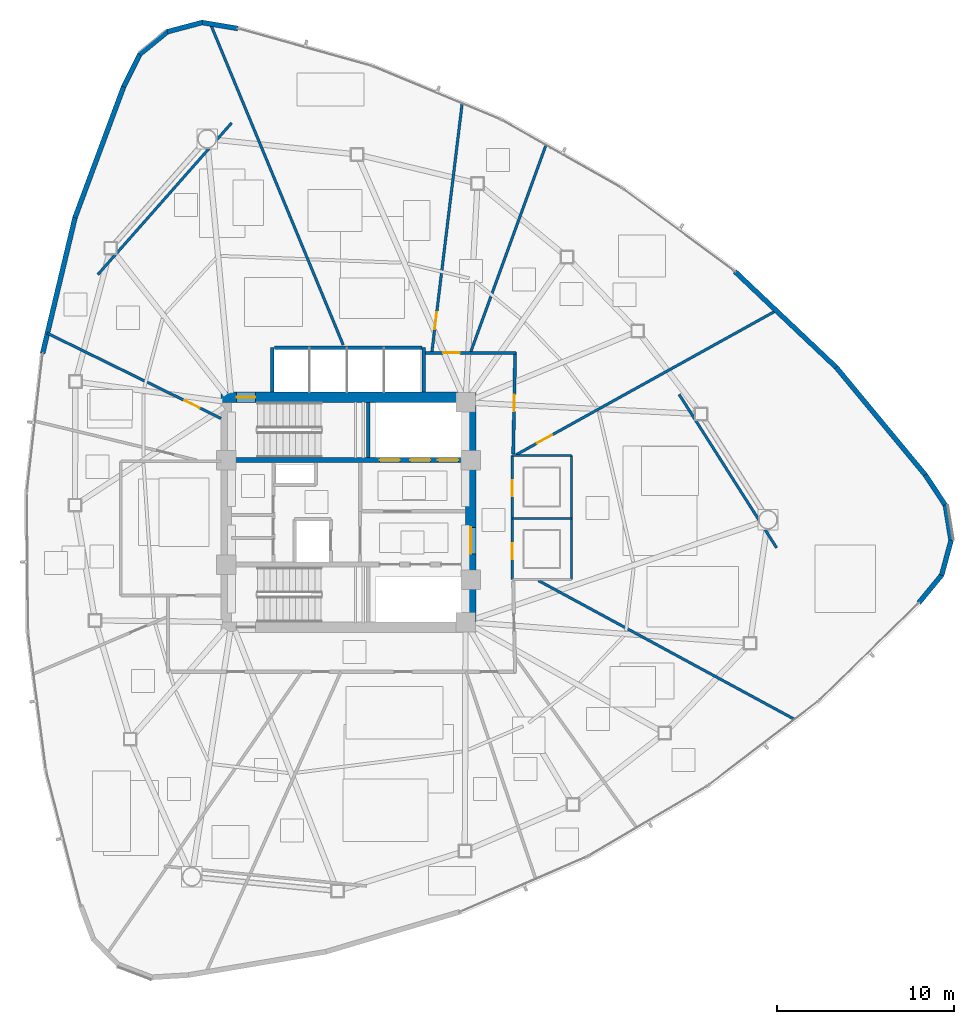
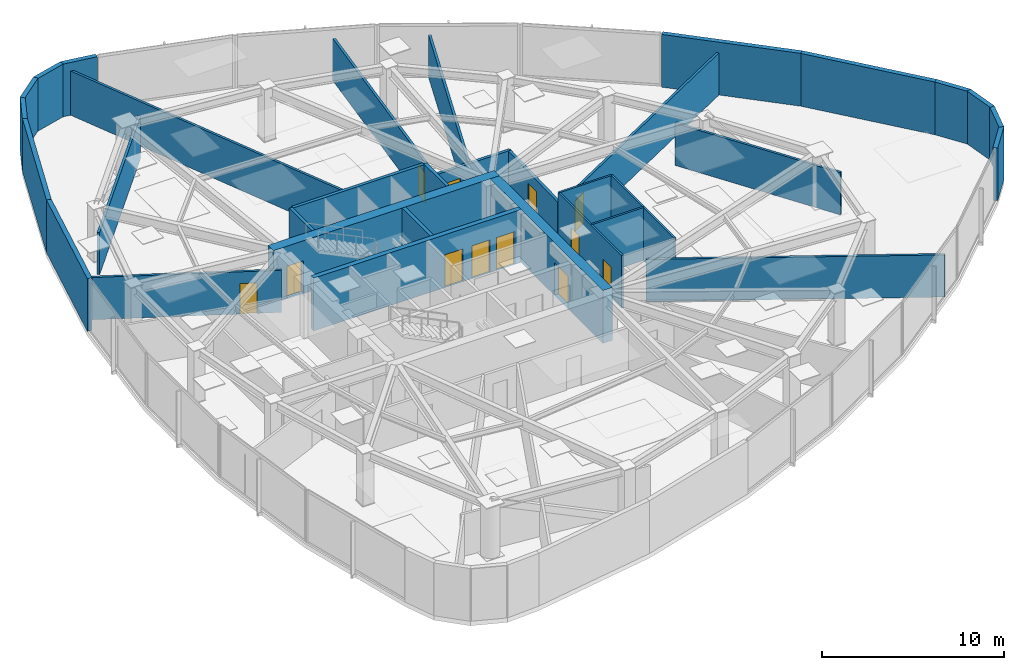
# One storey, part 13 of 18: 33 walls, 12 doors, 12 openings.
"""IFC4 building model written with IfcOpenShell, lengths in metres."""

from ifc_helpers import new_model, si_unit, direction, frame, frame_2d, origin, place, context, subcontext, project, spatial, rectangle, extrude, material, layer, layer_set, type_object, element, fill, save


model = new_model("IFC4")

# Units and contexts
model_context = context("Model", 3, precision=1e-05, world=origin(), true_north=direction((0.0, 1.0)))
body_context = subcontext(model_context, "Body", "Model", "MODEL_VIEW")
ifc_project = project(units=[si_unit("LENGTHUNIT", "METRE"), si_unit("AREAUNIT", "SQUARE_METRE"), si_unit("VOLUMEUNIT", "CUBIC_METRE"), si_unit("PLANEANGLEUNIT", "RADIAN"), si_unit("MASSUNIT", "GRAM", prefix="KILO")], contexts=[model_context])

# Site, building, storey
site_placement = place(None, origin())
site = spatial("IfcSite", under=ifc_project, at=site_placement, CompositionType="ELEMENT")
building_placement = place(site_placement, origin())
building = spatial("IfcBuilding", under=site, at=building_placement, Name="Tavelor Broadcast Tower", CompositionType="ELEMENT")
storey_placement = place(building_placement, frame((0.0, 0.0, 146.39990234375)))
storey = spatial("IfcBuildingStorey", under=building, at=storey_placement, Name="L34", CompositionType="ELEMENT", Elevation=146.39990234375)

# Wall, opening, door
ifc_material_1 = material(Name="Concrete C60/75", Category="concrete")
ifc_layer_1 = layer(ifc_material_1, 0.60009765625)
ifc_layer_set_1 = layer_set([ifc_layer_1], Name="Concrete C60/75")
wall_type_1 = type_object("IfcWallType", Name="Core Shear Wall 600 mm", PredefinedType="SHEAR", material=ifc_layer_set_1)
wall_1_placement = place(storey_placement, frame((42.800048828125, 51.5, 0.0), z_axis=(0.0, 0.0, 1.0), x_axis=(1.0, 0.0, 0.0)))
wall_1 = element("IfcWall", 1, at=wall_1_placement, inside=storey, type_object=wall_type_1, Name="L34 Central Core Shear Wall N", PredefinedType="SHEAR", context=body_context, shape_type="SweptSolid", body=[
    extrude(rectangle(XDim=14.39990234375, YDim=0.60009765625, at=frame_2d((7.199951171875, 0.0))), origin(), (0.0, 0.0, 1.0), 3.550048828125),
])
opening_1_placement = place(wall_1_placement, frame((0.8798828125, 0.0, 0.0)))
opening_1 = element("IfcOpeningElement", 2, at=opening_1_placement, cuts=wall_1, Name="Opening DR11", PredefinedType="OPENING", context=body_context, shape_type="SweptSolid", body=[
    extrude(rectangle(XDim=1.050048828125, YDim=2.199951171875, at=frame_2d((0.52490234375, 1.10009765625))), frame((0.0, 0.31005859375, 0.0), z_axis=(0.0, -1.0, 0.0), x_axis=(1.0, 0.0, 0.0)), (0.0, 0.0, 1.0), 0.6201171875),
])
ifc_material_2 = material(Name="Steel S355", Category="steel")
door_type_1 = type_object("IfcDoorType", Name="Stair Core Fire Escape Door 1050x2200", OperationType="NOTDEFINED", PredefinedType="DOOR", material=ifc_material_2)
door_1_placement = place(opening_1_placement, origin())
door_1 = element("IfcDoor", 3, at=door_1_placement, inside=storey, type_object=door_type_1, Name="L34 Stair ST1 Protected Exit Door", OperationType="SINGLE_SWING_LEFT", OverallHeight=2.199951171875, OverallWidth=1.050048828125, PredefinedType="DOOR", context=body_context, shape_type="SweptSolid", body=[
    extrude(rectangle(XDim=1.050048828125, YDim=2.199951171875, at=frame_2d((0.52490234375, 1.10009765625))), frame((0.0, 0.02490234375, 0.0), z_axis=(0.0, -1.0, 0.0), x_axis=(1.0, 0.0, 0.0)), (0.0, 0.0, 1.0), 0.050048828125),
])
fill(opening_1, door_1)

wall_2_placement = place(storey_placement, frame((56.89990234375, 38.800048828125, 0.0), z_axis=(0.0, 0.0, 1.0), x_axis=(0.0, 1.0, 0.0)))
wall_2 = element("IfcWall", 4, at=wall_2_placement, inside=storey, type_object=wall_type_1, Name="L34 Central Core Shear Wall E", PredefinedType="SHEAR", context=body_context, shape_type="SweptSolid", body=[
    extrude(rectangle(XDim=12.39990234375, YDim=0.60009765625, at=frame_2d((6.199951171875, 0.0))), origin(), (0.0, 0.0, 1.0), 3.550048828125),
])
opening_2_placement = place(wall_2_placement, frame((3.85009765625, 0.0, 0.0)))
opening_2 = element("IfcOpeningElement", 5, at=opening_2_placement, cuts=wall_2, Name="Opening DR14", PredefinedType="OPENING", context=body_context, shape_type="SweptSolid", body=[
    extrude(rectangle(XDim=1.5, YDim=2.199951171875, at=frame_2d((0.75, 1.10009765625))), frame((0.0, 0.31005859375, 0.0), z_axis=(0.0, -1.0, 0.0), x_axis=(1.0, 0.0, 0.0)), (0.0, 0.0, 1.0), 0.6201171875),
])
door_type_2 = type_object("IfcDoorType", Name="Firefighting Lobby Double Fire Door 1500x2200", OperationType="NOTDEFINED", PredefinedType="DOOR", material=ifc_material_2)
door_2_placement = place(opening_2_placement, origin())
door_2 = element("IfcDoor", 6, at=door_2_placement, inside=storey, type_object=door_type_2, Name="L34 Central Core Lobby Fire Door", OperationType="SINGLE_SWING_LEFT", OverallHeight=2.199951171875, OverallWidth=1.5, PredefinedType="DOOR", context=body_context, shape_type="SweptSolid", body=[
    extrude(rectangle(XDim=1.5, YDim=2.199951171875, at=frame_2d((0.75, 1.10009765625))), frame((0.0, 0.02490234375, 0.0), z_axis=(0.0, -1.0, 0.0), x_axis=(1.0, 0.0, 0.0)), (0.0, 0.0, 1.0), 0.050048828125),
])
fill(opening_2, door_2)

# Wall, openings, doors
ifc_layer_2 = layer(ifc_material_1, 0.300048828125)
ifc_layer_set_2 = layer_set([ifc_layer_2], Name="Concrete C60/75")
wall_type_2 = type_object("IfcWallType", Name="Core Spine Shear Wall 300 mm C60", PredefinedType="SHEAR", material=ifc_layer_set_2)
wall_3_placement = place(storey_placement, frame((43.39990234375, 47.949951171875, 0.0), z_axis=(0.0, 0.0, 1.0), x_axis=(1.0, 0.0, 0.0)))
wall_3 = element("IfcWall", 7, at=wall_3_placement, inside=storey, type_object=wall_type_2, Name="L34 Central Core Shear Wall SP1", PredefinedType="SHEAR", context=body_context, shape_type="SweptSolid", body=[
    extrude(rectangle(XDim=13.2001953125, YDim=0.300048828125, at=frame_2d((6.60009765625, 0.0))), origin(), (0.0, 0.0, 1.0), 3.550048828125),
])
opening_3_placement = place(wall_3_placement, frame((8.344970703125, 0.0, 0.0)))
opening_3 = element("IfcOpeningElement", 8, at=opening_3_placement, cuts=wall_3, Name="Opening LD02", PredefinedType="OPENING", context=body_context, shape_type="SweptSolid", body=[
    extrude(rectangle(XDim=1.14990234375, YDim=2.199951171875, at=frame_2d((0.574951171875, 1.10009765625))), frame((0.0, 0.16015625, 0.0), z_axis=(0.0, -1.0, 0.0), x_axis=(1.0, 0.0, 0.0)), (0.0, 0.0, 1.0), 0.320068359375),
])
opening_4_placement = place(wall_3_placement, frame((10.06494140625, 0.0, 0.0)))
opening_4 = element("IfcOpeningElement", 9, at=opening_4_placement, cuts=wall_3, Name="Opening LD02", PredefinedType="OPENING", context=body_context, shape_type="SweptSolid", body=[
    extrude(rectangle(XDim=1.14990234375, YDim=2.199951171875, at=frame_2d((0.574951171875, 1.10009765625))), frame((0.0, 0.16015625, 0.0), z_axis=(0.0, -1.0, 0.0), x_axis=(1.0, 0.0, 0.0)), (0.0, 0.0, 1.0), 0.320068359375),
])
opening_5_placement = place(wall_3_placement, frame((11.64501953125, 0.0, 0.0)))
opening_5 = element("IfcOpeningElement", 10, at=opening_5_placement, cuts=wall_3, Name="Opening LD03", PredefinedType="OPENING", context=body_context, shape_type="SweptSolid", body=[
    extrude(rectangle(XDim=1.14990234375, YDim=2.199951171875, at=frame_2d((0.574951171875, 1.10009765625))), frame((0.0, 0.16015625, 0.0), z_axis=(0.0, -1.0, 0.0), x_axis=(1.0, 0.0, 0.0)), (0.0, 0.0, 1.0), 0.320068359375),
])
ifc_material_3 = material(Name="Reinforced Brushed Stainless Steel", Category="concrete")
door_type_3 = type_object("IfcDoorType", Name="Broadcast Goods Lift Sliding Landing Door 1250x2200", OperationType="NOTDEFINED", PredefinedType="DOOR", material=ifc_material_3)
door_3_placement = place(opening_5_placement, origin())
door_3 = element("IfcDoor", 11, at=door_3_placement, inside=storey, type_object=door_type_3, Name="L34 Lift SVL1 Sliding Landing Door", OperationType="SLIDING_TO_LEFT", OverallHeight=2.199951171875, OverallWidth=1.14990234375, PredefinedType="DOOR", context=body_context, shape_type="SweptSolid", body=[
    extrude(rectangle(XDim=1.14990234375, YDim=2.199951171875, at=frame_2d((0.574951171875, 1.10009765625))), frame((0.0, 0.02490234375, 0.0), z_axis=(0.0, -1.0, 0.0), x_axis=(1.0, 0.0, 0.0)), (0.0, 0.0, 1.0), 0.050048828125),
])
fill(opening_5, door_3)
ifc_material_4 = material(Name="Fire-Rated Stainless Steel", Category="steel")
door_type_4 = type_object("IfcDoorType", Name="Firefighting Lift Sliding Landing Door 1200x2200", OperationType="NOTDEFINED", PredefinedType="DOOR", material=ifc_material_4)
door_4_placement = place(opening_3_placement, origin())
door_4 = element("IfcDoor", 12, at=door_4_placement, inside=storey, type_object=door_type_4, Name="L34 Lift FFL1 Sliding Landing Door", OperationType="SLIDING_TO_LEFT", OverallHeight=2.199951171875, OverallWidth=1.14990234375, PredefinedType="DOOR", context=body_context, shape_type="SweptSolid", body=[
    extrude(rectangle(XDim=1.14990234375, YDim=2.199951171875, at=frame_2d((0.574951171875, 1.10009765625))), frame((0.0, 0.02490234375, 0.0), z_axis=(0.0, -1.0, 0.0), x_axis=(1.0, 0.0, 0.0)), (0.0, 0.0, 1.0), 0.050048828125),
])
fill(opening_3, door_4)
door_5_placement = place(opening_4_placement, origin())
door_5 = element("IfcDoor", 13, at=door_5_placement, inside=storey, type_object=door_type_4, Name="L34 Lift FFL2 Sliding Landing Door", OperationType="SLIDING_TO_LEFT", OverallHeight=2.199951171875, OverallWidth=1.14990234375, PredefinedType="DOOR", context=body_context, shape_type="SweptSolid", body=[
    extrude(rectangle(XDim=1.14990234375, YDim=2.199951171875, at=frame_2d((0.574951171875, 1.10009765625))), frame((0.0, 0.02490234375, 0.0), z_axis=(0.0, -1.0, 0.0), x_axis=(1.0, 0.0, 0.0)), (0.0, 0.0, 1.0), 0.050048828125),
])
fill(opening_4, door_5)

# Wall, opening, door
ifc_material_5 = material(Name="Calcium Silicate Fire Board 180 mm", Category="gypsum")
ifc_layer_3 = layer(ifc_material_5, 0.179931640625)
ifc_layer_set_3 = layer_set([ifc_layer_3], Name="Calcium Silicate Fire Board 180 mm")
wall_type_3 = type_object("IfcWallType", Name="Fire-Rated Corridor Partition Wall 180 mm", PredefinedType="PARTITIONING", material=ifc_layer_set_3)
wall_4_placement = place(storey_placement, frame((54.300048828125, 54.0, 0.0), z_axis=(0.0, 0.0, 1.0), x_axis=(1.0, 0.0, 0.0)))
wall_4 = element("IfcWall", 14, at=wall_4_placement, inside=storey, type_object=wall_type_3, Name="L34 Corridor Compartment Wall 01", PredefinedType="PARTITIONING", context=body_context, shape_type="SweptSolid", body=[
    extrude(rectangle(XDim=5.14990234375, YDim=0.179931640625, at=frame_2d((2.574951171875, 0.0))), origin(), (0.0, 0.0, 1.0), 2.835205078125),
])
opening_6_placement = place(wall_4_placement, frame((1.03271484375, 0.0, 0.0)))
opening_6 = element("IfcOpeningElement", 15, at=opening_6_placement, cuts=wall_4, Name="Opening DR18", PredefinedType="OPENING", context=body_context, shape_type="SweptSolid", body=[
    extrude(rectangle(XDim=0.949951171875, YDim=2.050048828125, at=frame_2d((0.47509765625, 1.02490234375))), frame((0.0, 0.10009765625, 0.0), z_axis=(0.0, -1.0, 0.0), x_axis=(1.0, 0.0, 0.0)), (0.0, 0.0, 1.0), 0.199951171875),
])
ifc_material_6 = material(Name="Timber Solid Core Hardwood", Category="wood")
door_type_5 = type_object("IfcDoorType", Name="Corridor Rated Compartment Door 950x2050", OperationType="NOTDEFINED", PredefinedType="DOOR", material=ifc_material_6)
door_6_placement = place(opening_6_placement, origin())
door_6 = element("IfcDoor", 16, at=door_6_placement, inside=storey, type_object=door_type_5, Name="L34 Colour Grading Studio Door R11", OperationType="SINGLE_SWING_LEFT", OverallHeight=2.050048828125, OverallWidth=0.949951171875, PredefinedType="DOOR", context=body_context, shape_type="SweptSolid", body=[
    extrude(rectangle(XDim=0.949951171875, YDim=2.050048828125, at=frame_2d((0.47509765625, 1.02490234375))), frame((0.0, 0.02490234375, 0.0), z_axis=(0.0, -1.0, 0.0), x_axis=(1.0, 0.0, 0.0)), (0.0, 0.0, 1.0), 0.050048828125),
])
fill(opening_6, door_6)

wall_5_placement = place(storey_placement, frame((59.40087890625, 54.050048828125, 0.0), z_axis=(0.0, 0.0, 1.0), x_axis=(-0.019103170983, -0.999817517779, 0.0)))
wall_5 = element("IfcWall", 17, at=wall_5_placement, inside=storey, type_object=wall_type_3, Name="L34 Corridor Compartment Wall 02", PredefinedType="PARTITIONING", context=body_context, shape_type="SweptSolid", body=[
    extrude(rectangle(XDim=5.7509765625, YDim=0.179931640625, at=frame_2d((2.87548828125, 0.0))), origin(), (0.0, 0.0, 1.0), 2.835205078125),
])
opening_7_placement = place(wall_5_placement, frame((2.400390625, 0.0, 0.0)))
opening_7 = element("IfcOpeningElement", 18, at=opening_7_placement, cuts=wall_5, Name="Opening DR18", PredefinedType="OPENING", context=body_context, shape_type="SweptSolid", body=[
    extrude(rectangle(XDim=0.949951171875, YDim=2.050048828125, at=frame_2d((0.47509765625, 1.02490234375))), frame((0.0, 0.10009765625, 0.0), z_axis=(0.0, -1.0, 0.0), x_axis=(1.0, 0.0, 0.0)), (0.0, 0.0, 1.0), 0.199951171875),
])
door_7_placement = place(opening_7_placement, origin())
door_7 = element("IfcDoor", 19, at=door_7_placement, inside=storey, type_object=door_type_5, Name="L34 Documentary Research Study Door R12", OperationType="SINGLE_SWING_RIGHT", OverallHeight=2.050048828125, OverallWidth=0.949951171875, PredefinedType="DOOR", context=body_context, shape_type="SweptSolid", body=[
    extrude(rectangle(XDim=0.949951171875, YDim=2.050048828125, at=frame_2d((0.47509765625, 1.02490234375))), frame((0.0, 0.02490234375, 0.0), z_axis=(0.0, -1.0, 0.0), x_axis=(1.0, 0.0, 0.0)), (0.0, 0.0, 1.0), 0.050048828125),
])
fill(opening_7, door_7)

# Walls
ifc_material_7 = material(Name="Precast Concrete C40/50", Category="concrete")
ifc_layer_4 = layer(ifc_material_7, 0.280029296875)
ifc_layer_set_4 = layer_set([ifc_layer_4], Name="Precast Concrete C40/50")
wall_type_4 = type_object("IfcWallType", Name="Insulated Precast Terracotta Facade Wall 280 mm", PredefinedType="STANDARD", material=ifc_layer_set_4)
wall_6_placement = place(storey_placement, frame((43.737548828125, 72.31591796875, 0.0), z_axis=(0.0, 0.0, 1.0), x_axis=(-0.986422771937, 0.164225804927, 0.0)))
element("IfcWall", 20, at=wall_6_placement, inside=storey, type_object=wall_type_4, Name="L34 Rounded Corner Structural Cladding Pier 01", PredefinedType="STANDARD", context=body_context, shape_type="SweptSolid", body=[
    extrude(rectangle(XDim=2.057373046875, YDim=0.280029296875, at=frame_2d((1.02880859375, 0.0))), origin(), (0.0, 0.0, 1.0), 3.550048828125),
])
for number, where, z_axis, x_axis, name in (
    (21, (41.7373046875, 72.655029296875, 0.0), (0.0, 0.0, 1.0), (-0.966620086151, -0.256213990737, 0.0), "L34 Rounded Corner Structural Cladding Pier 02"),
    (22, (39.785888671875, 72.14404296875, 0.0), (0.0, 0.0, 1.0), (-0.775496785866, -0.631351514698, 0.0), "L34 Rounded Corner Structural Cladding Pier 03"),
):
    element("IfcWall", number, at=place(storey_placement, frame(where, z_axis=z_axis, x_axis=x_axis)), inside=storey, type_object=wall_type_4, Name=name, PredefinedType="STANDARD", context=body_context, shape_type="SweptSolid", body=[
        extrude(rectangle(XDim=2.0458984375, YDim=0.280029296875, at=frame_2d((1.02294921875, 0.0))), origin(), (0.0, 0.0, 1.0), 3.550048828125),
    ])
wall_7_placement = place(storey_placement, frame((38.2177734375, 70.875244140625, 0.0), z_axis=(0.0, 0.0, 1.0), x_axis=(-0.446977521028, -0.894545189298, 0.0)))
element("IfcWall", 23, at=wall_7_placement, inside=storey, type_object=wall_type_4, Name="L34 Rounded Corner Structural Cladding Pier 04", PredefinedType="STANDARD", context=body_context, shape_type="SweptSolid", body=[
    extrude(rectangle(XDim=2.068359375, YDim=0.280029296875, at=frame_2d((1.0341796875, 0.0))), origin(), (0.0, 0.0, 1.0), 3.550048828125),
])
wall_8_placement = place(storey_placement, frame((37.304931640625, 69.052490234375, 0.0), z_axis=(0.0, 0.0, 1.0), x_axis=(-0.34818807826, -0.937424696793, 0.0)))
element("IfcWall", 24, at=wall_8_placement, inside=storey, type_object=wall_type_4, Name="L34 Rounded Corner Structural Cladding Pier 05", PredefinedType="STANDARD", context=body_context, shape_type="SweptSolid", body=[
    extrude(rectangle(XDim=7.916259765625, YDim=0.280029296875, at=frame_2d((3.9580078125, 0.0))), origin(), (0.0, 0.0, 1.0), 3.550048828125),
])
wall_9_placement = place(storey_placement, frame((34.557373046875, 61.66015625, 0.0), z_axis=(0.0, 0.0, 1.0), x_axis=(-0.232180040102, -0.972672827305, 0.0)))
element("IfcWall", 25, at=wall_9_placement, inside=storey, type_object=wall_type_4, Name="L34 Rounded Corner Structural Cladding Pier 06", PredefinedType="STANDARD", context=body_context, shape_type="SweptSolid", body=[
    extrude(rectangle(XDim=7.904296875, YDim=0.280029296875, at=frame_2d((3.9521484375, 0.0))), origin(), (0.0, 0.0, 1.0), 3.550048828125),
])
wall_10_placement = place(storey_placement, frame((82.1875, 39.88330078125, 0.0), z_axis=(0.0, 0.0, 1.0), x_axis=(0.635445176986, 0.772145988169, 0.0)))
element("IfcWall", 26, at=wall_10_placement, inside=storey, type_object=wall_type_4, Name="L34 Rounded Corner Structural Cladding Pier 21", PredefinedType="STANDARD", context=body_context, shape_type="SweptSolid", body=[
    extrude(rectangle(XDim=2.057373046875, YDim=0.280029296875, at=frame_2d((1.02880859375, 0.0))), origin(), (0.0, 0.0, 1.0), 3.550048828125),
])
for number, where, z_axis, x_axis, name in (
    (27, (83.4814453125, 41.44580078125, 0.0), (0.0, 0.0, 1.0), (0.26132977809, 0.965249577614, 0.0), "L34 Rounded Corner Structural Cladding Pier 22"),
    (28, (84.0146484375, 43.391357421875, 0.0), (0.0, 0.0, 1.0), (-0.159074855214, 0.98726652452, 0.0), "L34 Rounded Corner Structural Cladding Pier 23"),
):
    element("IfcWall", number, at=place(storey_placement, frame(where, z_axis=z_axis, x_axis=x_axis)), inside=storey, type_object=wall_type_4, Name=name, PredefinedType="STANDARD", context=body_context, shape_type="SweptSolid", body=[
        extrude(rectangle(XDim=2.0458984375, YDim=0.280029296875, at=frame_2d((1.02294921875, 0.0))), origin(), (0.0, 0.0, 1.0), 3.550048828125),
    ])
wall_11_placement = place(storey_placement, frame((83.69970703125, 45.3837890625, 0.0), z_axis=(0.0, 0.0, 1.0), x_axis=(-0.551126668423, 0.834421593293, 0.0)))
element("IfcWall", 29, at=wall_11_placement, inside=storey, type_object=wall_type_4, Name="L34 Rounded Corner Structural Cladding Pier 24", PredefinedType="STANDARD", context=body_context, shape_type="SweptSolid", body=[
    extrude(rectangle(XDim=2.068359375, YDim=0.280029296875, at=frame_2d((1.0341796875, 0.0))), origin(), (0.0, 0.0, 1.0), 3.550048828125),
])
wall_12_placement = place(storey_placement, frame((82.577392578125, 47.085693359375, 0.0), z_axis=(0.0, 0.0, 1.0), x_axis=(-0.637733070533, 0.770257444461, 0.0)))
element("IfcWall", 30, at=wall_12_placement, inside=storey, type_object=wall_type_4, Name="L34 Rounded Corner Structural Cladding Pier 25", PredefinedType="STANDARD", context=body_context, shape_type="SweptSolid", body=[
    extrude(rectangle(XDim=7.916015625, YDim=0.280029296875, at=frame_2d((3.9580078125, 0.0))), origin(), (0.0, 0.0, 1.0), 3.550048828125),
])
wall_13_placement = place(storey_placement, frame((77.549560546875, 53.161376953125, 0.0), z_axis=(0.0, 0.0, 1.0), x_axis=(-0.726282935986, 0.687395880767, 0.0)))
element("IfcWall", 31, at=wall_13_placement, inside=storey, type_object=wall_type_4, Name="L34 Rounded Corner Structural Cladding Pier 26", PredefinedType="STANDARD", context=body_context, shape_type="SweptSolid", body=[
    extrude(rectangle(XDim=7.904296875, YDim=0.280029296875, at=frame_2d((3.9521484375, 0.0))), origin(), (0.0, 0.0, 1.0), 3.550048828125),
])
ifc_material_8 = material(Name="Gypsum Acoustic Plasterboard 150 mm", Category="gypsum")
ifc_layer_5 = layer(ifc_material_8, 0.14990234375)
ifc_layer_set_5 = layer_set([ifc_layer_5], Name="Gypsum Acoustic Plasterboard 150 mm")
wall_type_5 = type_object("IfcWallType", Name="Interior Acoustic Partition Wall 150 mm", PredefinedType="PARTITIONING", material=ifc_layer_set_5)
wall_14_placement = place(storey_placement, frame((43.399658203125, 66.988525390625, 0.0), z_axis=(0.0, 0.0, 1.0), x_axis=(-0.661622343701, -0.749837231881, 0.0)))
element("IfcWall", 32, at=wall_14_placement, inside=storey, type_object=wall_type_5, Name="L34 Corner Tube Brace Furring Wall 1", PredefinedType="PARTITIONING", context=body_context, shape_type="SweptSolid", body=[
    extrude(rectangle(XDim=11.42724609375, YDim=0.14990234375, at=frame_2d((5.713623046875, 0.0))), origin(), (0.0, 0.0, 1.0), 2.835205078125),
])
wall_15_placement = place(storey_placement, frame((74.16259765625, 42.9931640625, 0.0), z_axis=(0.0, 0.0, 1.0), x_axis=(-0.53628142437, 0.844039237166, 0.0)))
element("IfcWall", 33, at=wall_15_placement, inside=storey, type_object=wall_type_5, Name="L34 Corner Tube Brace Furring Wall 3", PredefinedType="PARTITIONING", context=body_context, shape_type="SweptSolid", body=[
    extrude(rectangle(XDim=10.266845703125, YDim=0.14990234375, at=frame_2d((5.13330078125, 0.0))), origin(), (0.0, 0.0, 1.0), 2.835205078125),
])

# Wall, opening, door
wall_16_placement = place(storey_placement, frame((59.463134765625, 48.25, 0.0), z_axis=(0.0, 0.0, 1.0), x_axis=(0.874621810127, 0.484805826337, 0.0)))
wall_16 = element("IfcWall", 34, at=wall_16_placement, inside=storey, type_object=wall_type_5, Name="L34 Radial Compartment Wall 01", PredefinedType="PARTITIONING", context=body_context, shape_type="SweptSolid", body=[
    extrude(rectangle(XDim=16.79345703125, YDim=0.14990234375, at=frame_2d((8.396728515625, 0.0))), origin(), (0.0, 0.0, 1.0), 2.835205078125),
])
opening_8_placement = place(wall_16_placement, frame((1.35009765625, 0.0, 0.0)))
opening_8 = element("IfcOpeningElement", 35, at=opening_8_placement, cuts=wall_16, Name="Opening DR18", PredefinedType="OPENING", context=body_context, shape_type="SweptSolid", body=[
    extrude(rectangle(XDim=0.949951171875, YDim=2.050048828125, at=frame_2d((0.47509765625, 1.02490234375))), frame((0.0, 0.0849609375, 0.0), z_axis=(0.0, -1.0, 0.0), x_axis=(1.0, 0.0, 0.0)), (0.0, 0.0, 1.0), 0.169921875),
])
door_8_placement = place(opening_8_placement, origin())
door_8 = element("IfcDoor", 36, at=door_8_placement, inside=storey, type_object=door_type_5, Name="L34 Suite Connecting Door 0", OperationType="SINGLE_SWING_RIGHT", OverallHeight=2.050048828125, OverallWidth=0.949951171875, PredefinedType="DOOR", context=body_context, shape_type="SweptSolid", body=[
    extrude(rectangle(XDim=0.949951171875, YDim=2.050048828125, at=frame_2d((0.47509765625, 1.02490234375))), frame((0.0, 0.02490234375, 0.0), z_axis=(0.0, -1.0, 0.0), x_axis=(1.0, 0.0, 0.0)), (0.0, 0.0, 1.0), 0.050048828125),
])
fill(opening_8, door_8)

# Wall
wall_17_placement = place(storey_placement, frame((56.8740234375, 54.0, 0.0), z_axis=(0.0, 0.0, 1.0), x_axis=(0.341846612946, 0.939755762535, 0.0)))
element("IfcWall", 37, at=wall_17_placement, inside=storey, type_object=wall_type_5, Name="L34 Radial Compartment Wall 02", PredefinedType="PARTITIONING", context=body_context, shape_type="SweptSolid", body=[
    extrude(rectangle(XDim=12.493896484375, YDim=0.14990234375, at=frame_2d((6.2470703125, 0.0))), origin(), (0.0, 0.0, 1.0), 2.835205078125),
])

# Wall, opening, door
wall_18_placement = place(storey_placement, frame((54.695556640625, 54.0, 0.0), z_axis=(0.0, 0.0, 1.0), x_axis=(0.120843975627, 0.99267151342, 0.0)))
wall_18 = element("IfcWall", 38, at=wall_18_placement, inside=storey, type_object=wall_type_5, Name="L34 Radial Compartment Wall 03", PredefinedType="PARTITIONING", context=body_context, shape_type="SweptSolid", body=[
    extrude(rectangle(XDim=14.194580078125, YDim=0.14990234375, at=frame_2d((7.09716796875, 0.0))), origin(), (0.0, 0.0, 1.0), 2.835205078125),
])
opening_9_placement = place(wall_18_placement, frame((1.35009765625, 0.0, 0.0)))
opening_9 = element("IfcOpeningElement", 39, at=opening_9_placement, cuts=wall_18, Name="Opening DR18", PredefinedType="OPENING", context=body_context, shape_type="SweptSolid", body=[
    extrude(rectangle(XDim=0.949951171875, YDim=2.050048828125, at=frame_2d((0.47509765625, 1.02490234375))), frame((0.0, 0.0849609375, 0.0), z_axis=(0.0, -1.0, 0.0), x_axis=(1.0, 0.0, 0.0)), (0.0, 0.0, 1.0), 0.169921875),
])
door_9_placement = place(opening_9_placement, origin())
door_9 = element("IfcDoor", 40, at=door_9_placement, inside=storey, type_object=door_type_5, Name="L34 Suite Connecting Door 10", OperationType="SINGLE_SWING_LEFT", OverallHeight=2.050048828125, OverallWidth=0.949951171875, PredefinedType="DOOR", context=body_context, shape_type="SweptSolid", body=[
    extrude(rectangle(XDim=0.949951171875, YDim=2.050048828125, at=frame_2d((0.47509765625, 1.02490234375))), frame((0.0, 0.02490234375, 0.0), z_axis=(0.0, -1.0, 0.0), x_axis=(1.0, 0.0, 0.0)), (0.0, 0.0, 1.0), 0.050048828125),
])
fill(opening_9, door_9)

# Wall
wall_19_placement = place(storey_placement, frame((49.692138671875, 54.449951171875, 0.0), z_axis=(0.0, 0.0, 1.0), x_axis=(-0.382142985061, 0.924103207964, 0.0)))
element("IfcWall", 41, at=wall_19_placement, inside=storey, type_object=wall_type_5, Name="L34 Radial Compartment Wall 04", PredefinedType="PARTITIONING", context=body_context, shape_type="SweptSolid", body=[
    extrude(rectangle(XDim=19.622314453125, YDim=0.14990234375, at=frame_2d((9.81103515625, 0.0))), origin(), (0.0, 0.0, 1.0), 2.97509765625),
])

# Wall, opening, door
wall_20_placement = place(storey_placement, frame((42.800048828125, 50.29736328125, 0.0), z_axis=(0.0, 0.0, 1.0), x_axis=(-0.897826391008, 0.440349601579, 0.0)))
wall_20 = element("IfcWall", 42, at=wall_20_placement, inside=storey, type_object=wall_type_5, Name="L34 Radial Compartment Wall 05", PredefinedType="PARTITIONING", context=body_context, shape_type="SweptSolid", body=[
    extrude(rectangle(XDim=10.933349609375, YDim=0.14990234375, at=frame_2d((5.466796875, 0.0))), origin(), (0.0, 0.0, 1.0), 2.835205078125),
])
opening_10_placement = place(wall_20_placement, frame((1.35009765625, 0.0, 0.0)))
opening_10 = element("IfcOpeningElement", 43, at=opening_10_placement, cuts=wall_20, Name="Opening DR18", PredefinedType="OPENING", context=body_context, shape_type="SweptSolid", body=[
    extrude(rectangle(XDim=0.949951171875, YDim=2.050048828125, at=frame_2d((0.47509765625, 1.02490234375))), frame((0.0, 0.0849609375, 0.0), z_axis=(0.0, -1.0, 0.0), x_axis=(1.0, 0.0, 0.0)), (0.0, 0.0, 1.0), 0.169921875),
])
door_10_placement = place(opening_10_placement, origin())
door_10 = element("IfcDoor", 44, at=door_10_placement, inside=storey, type_object=door_type_5, Name="L34 Suite Connecting Door 9", OperationType="SINGLE_SWING_RIGHT", OverallHeight=2.050048828125, OverallWidth=0.949951171875, PredefinedType="DOOR", context=body_context, shape_type="SweptSolid", body=[
    extrude(rectangle(XDim=0.949951171875, YDim=2.050048828125, at=frame_2d((0.47509765625, 1.02490234375))), frame((0.0, 0.02490234375, 0.0), z_axis=(0.0, -1.0, 0.0), x_axis=(1.0, 0.0, 0.0)), (0.0, 0.0, 1.0), 0.050048828125),
])
fill(opening_10, door_10)

# Walls
wall_21_placement = place(storey_placement, frame((60.70556640625, 41.14990234375, 0.0), z_axis=(0.0, 0.0, 1.0), x_axis=(0.879234769587, -0.476388727773, 0.0)))
element("IfcWall", 45, at=wall_21_placement, inside=storey, type_object=wall_type_5, Name="L34 Radial Compartment Wall 12", PredefinedType="PARTITIONING", context=body_context, shape_type="SweptSolid", body=[
    extrude(rectangle(XDim=16.46240234375, YDim=0.14990234375, at=frame_2d((8.231201171875, 0.0))), origin(), (0.0, 0.0, 1.0), 2.835205078125),
])
ifc_material_9 = material(Name="Concrete Blockwork 200 mm", Category="masonry")
ifc_layer_6 = layer(ifc_material_9, 0.199951171875)
ifc_layer_set_6 = layer_set([ifc_layer_6], Name="Concrete Blockwork 200 mm")
wall_type_6 = type_object("IfcWallType", Name="Lift Hoistway Rated Front Wall 200 mm", PredefinedType="PARTITIONING", material=ifc_layer_set_6)
wall_22_placement = place(storey_placement, frame((45.820068359375, 54.300048828125, 0.0), z_axis=(0.0, 0.0, 1.0), x_axis=(1.0, 0.0, 0.0)))
element("IfcWall", 46, at=wall_22_placement, inside=storey, type_object=wall_type_6, Name="L34 High-Rise Lift Hoistway Front Wall", PredefinedType="PARTITIONING", context=body_context, shape_type="SweptSolid", body=[
    extrude(rectangle(XDim=8.309814453125, YDim=0.199951171875, at=frame_2d((4.15478515625, 0.0))), origin(), (0.0, 0.0, 1.0), 3.550048828125),
])
ifc_layer_7 = layer(ifc_material_9, 0.199951171875)
ifc_layer_set_7 = layer_set([ifc_layer_7], Name="Concrete Blockwork 200 mm")
wall_type_7 = type_object("IfcWallType", Name="Lift and Riser Shaft Enclosure Wall 200 mm", PredefinedType="PARTITIONING", material=ifc_layer_set_7)
for number, where, z_axis, x_axis, name in (
    (47, (45.699951171875, 51.800048828125, 0.0), (0.0, 0.0, 1.0), (0.0, 1.0, 0.0), "L34 High-Rise Lift Shaft West Wall"),
    (48, (54.25, 51.800048828125, 0.0), (0.0, 0.0, 1.0), (0.0, 1.0, 0.0), "L34 High-Rise Lift Shaft East Wall"),
):
    element("IfcWall", number, at=place(storey_placement, frame(where, z_axis=z_axis, x_axis=x_axis)), inside=storey, type_object=wall_type_7, Name=name, PredefinedType="PARTITIONING", context=body_context, shape_type="SweptSolid", body=[
        extrude(rectangle(XDim=2.5, YDim=0.199951171875, at=frame_2d((1.25, 0.0))), origin(), (0.0, 0.0, 1.0), 3.550048828125),
    ])

# Wall, openings, doors
ifc_material_10 = material(Name="Moisture-Resistant Plasterboard 120 mm", Category="gypsum")
ifc_layer_8 = layer(ifc_material_10, 0.1201171875)
ifc_layer_set_8 = layer_set([ifc_layer_8], Name="Moisture-Resistant Plasterboard 120 mm")
wall_type_8 = type_object("IfcWallType", Name="Moisture-Resistant Wet-Room Partition 120 mm", PredefinedType="PARTITIONING", material=ifc_layer_set_8)
wall_23_placement = place(storey_placement, frame((59.239990234375, 41.199951171875, 0.0), z_axis=(0.0, 0.0, 1.0), x_axis=(0.0, 1.0, 0.0)))
wall_23 = element("IfcWall", 49, at=wall_23_placement, inside=storey, type_object=wall_type_8, Name="L34 Floor Washrooms West Wall", PredefinedType="PARTITIONING", context=body_context, shape_type="SweptSolid", body=[
    extrude(rectangle(XDim=7.0, YDim=0.1201171875, at=frame_2d((3.5, 0.0))), origin(), (0.0, 0.0, 1.0), 3.550048828125),
])
opening_11_placement = place(wall_23_placement, frame((1.14990234375, 0.0, 0.0)))
opening_11 = element("IfcOpeningElement", 50, at=opening_11_placement, cuts=wall_23, Name="Opening DR32", PredefinedType="OPENING", context=body_context, shape_type="SweptSolid", body=[
    extrude(rectangle(XDim=0.89990234375, YDim=2.050048828125, at=frame_2d((0.449951171875, 1.02490234375))), frame((0.0, 0.070068359375, 0.0), z_axis=(0.0, -1.0, 0.0), x_axis=(1.0, 0.0, 0.0)), (0.0, 0.0, 1.0), 0.14013671875),
])
opening_12_placement = place(wall_23_placement, frame((4.699951171875, 0.0, 0.0)))
opening_12 = element("IfcOpeningElement", 51, at=opening_12_placement, cuts=wall_23, Name="Opening DR32", PredefinedType="OPENING", context=body_context, shape_type="SweptSolid", body=[
    extrude(rectangle(XDim=0.89990234375, YDim=2.050048828125, at=frame_2d((0.449951171875, 1.02490234375))), frame((0.0, 0.070068359375, 0.0), z_axis=(0.0, -1.0, 0.0), x_axis=(1.0, 0.0, 0.0)), (0.0, 0.0, 1.0), 0.14013671875),
])
door_type_6 = type_object("IfcDoorType", Name="Accessible Washroom Door 900x2050", OperationType="NOTDEFINED", PredefinedType="DOOR", material=ifc_material_6)
door_11_placement = place(opening_11_placement, origin())
door_11 = element("IfcDoor", 52, at=door_11_placement, inside=storey, type_object=door_type_6, Name="L34 Accessible WC Door", OperationType="SINGLE_SWING_LEFT", OverallHeight=2.050048828125, OverallWidth=0.89990234375, PredefinedType="DOOR", context=body_context, shape_type="SweptSolid", body=[
    extrude(rectangle(XDim=0.89990234375, YDim=2.050048828125, at=frame_2d((0.449951171875, 1.02490234375))), frame((0.0, 0.02490234375, 0.0), z_axis=(0.0, -1.0, 0.0), x_axis=(1.0, 0.0, 0.0)), (0.0, 0.0, 1.0), 0.050048828125),
])
fill(opening_11, door_11)
door_12_placement = place(opening_12_placement, origin())
door_12 = element("IfcDoor", 53, at=door_12_placement, inside=storey, type_object=door_type_6, Name="L34 Staff Washroom WC Door", OperationType="SINGLE_SWING_RIGHT", OverallHeight=2.050048828125, OverallWidth=0.89990234375, PredefinedType="DOOR", context=body_context, shape_type="SweptSolid", body=[
    extrude(rectangle(XDim=0.89990234375, YDim=2.050048828125, at=frame_2d((0.449951171875, 1.02490234375))), frame((0.0, 0.02490234375, 0.0), z_axis=(0.0, -1.0, 0.0), x_axis=(1.0, 0.0, 0.0)), (0.0, 0.0, 1.0), 0.050048828125),
])
fill(opening_12, door_12)

# Walls
for number, where, z_axis, x_axis, name in (
    (54, (59.239990234375, 44.64990234375, 0.0), (0.0, 0.0, 1.0), (1.0, 0.0, 0.0), "L34 Floor Washrooms Divider Wall"),
    (55, (59.239990234375, 48.199951171875, 0.0), (0.0, 0.0, 1.0), (1.0, 0.0, 0.0), "L34 Floor Washrooms North Wall"),
):
    element("IfcWall", number, at=place(storey_placement, frame(where, z_axis=z_axis, x_axis=x_axis)), inside=storey, type_object=wall_type_8, Name=name, PredefinedType="PARTITIONING", context=body_context, shape_type="SweptSolid", body=[
        extrude(rectangle(XDim=3.340087890625, YDim=0.1201171875, at=frame_2d((1.669921875, 0.0))), origin(), (0.0, 0.0, 1.0), 3.550048828125),
    ])
wall_24_placement = place(storey_placement, frame((62.580078125, 41.199951171875, 0.0), z_axis=(0.0, 0.0, 1.0), x_axis=(0.0, 1.0, 0.0)))
element("IfcWall", 56, at=wall_24_placement, inside=storey, type_object=wall_type_8, Name="L34 Floor Washrooms East Wall", PredefinedType="PARTITIONING", context=body_context, shape_type="SweptSolid", body=[
    extrude(rectangle(XDim=7.0, YDim=0.1201171875, at=frame_2d((3.5, 0.0))), origin(), (0.0, 0.0, 1.0), 3.550048828125),
])
ifc_material_11 = material(Name="Concrete C40/50", Category="concrete")
ifc_layer_9 = layer(ifc_material_11, 0.219970703125)
ifc_layer_set_9 = layer_set([ifc_layer_9], Name="Concrete C40/50")
wall_type_9 = type_object("IfcWallType", Name="Structural Stairwell Shear Wall 220 mm", PredefinedType="SHEAR", material=ifc_layer_set_9)
wall_25_placement = place(storey_placement, frame((51.110107421875, 48.10009765625, 0.0), z_axis=(0.0, 0.0, 1.0), x_axis=(0.0, 1.0, 0.0)))
element("IfcWall", 57, at=wall_25_placement, inside=storey, type_object=wall_type_9, Name="L34 Stair ST1 Structural Shaft Wall", PredefinedType="SHEAR", context=body_context, shape_type="SweptSolid", body=[
    extrude(rectangle(XDim=3.099853515625, YDim=0.219970703125, at=frame_2d((1.5498046875, 0.0))), origin(), (0.0, 0.0, 1.0), 3.550048828125),
])

save(model, "model.ifc")
